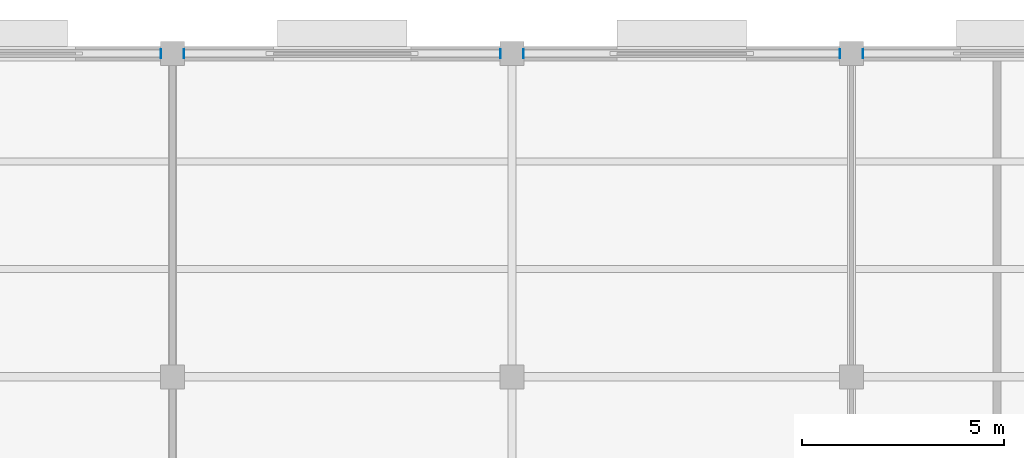
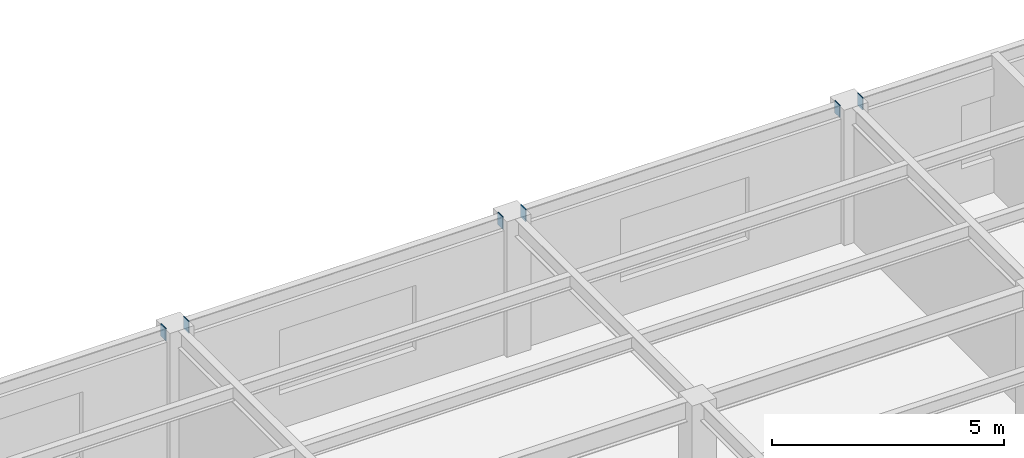
# One storey, part 76 of 96: 6 discrete accessories.
"""IFC4 building model written with IfcOpenShell, lengths in metres."""

from ifc_helpers import new_model, si_unit, direction, frame, origin, origin_2d, place, context, subcontext, project, spatial, rectangle, extrude, material, layer, layer_set, type_object, element, save


model = new_model("IFC4")

# Units and contexts
model_context = context("Model", 3, precision=1e-05, world=origin(), true_north=direction((0.0, 1.0)))
body_context = subcontext(model_context, "Body", "Model", "MODEL_VIEW")
ifc_project = project(units=[si_unit("LENGTHUNIT", "METRE"), si_unit("AREAUNIT", "SQUARE_METRE"), si_unit("VOLUMEUNIT", "CUBIC_METRE"), si_unit("PLANEANGLEUNIT", "RADIAN"), si_unit("MASSUNIT", "GRAM", prefix="KILO")], contexts=[model_context])

# Site, building, storey
site_placement = place(None, origin())
site = spatial("IfcSite", under=ifc_project, at=site_placement, CompositionType="ELEMENT")
building_placement = place(site_placement, origin())
building = spatial("IfcBuilding", under=site, at=building_placement, Name="Kranzveld Transit Interchange", CompositionType="ELEMENT")
storey_placement = place(building_placement, frame((0.0, 0.0, 9.52001953125)))
storey = spatial("IfcBuildingStorey", under=building, at=storey_placement, Name="L02", CompositionType="ELEMENT", Elevation=9.52001953125)

# Discrete accessories
ifc_material = material(Name="Steel S355JR", Category="steel")
ifc_layer = layer(ifc_material, 0.02001953125)
ifc_layer_set = layer_set([ifc_layer], Name="Steel S355JR")
discrete_accessory_type = type_object("IfcDiscreteAccessoryType", Name="Hollow Section End Cap Bracket 20 S355JR", PredefinedType="BRACKET", material=ifc_layer_set)
discrete_accessory_1_placement = place(storey_placement, frame((24.906005859375, 112.0, 3.419921875), z_axis=(1.0, 0.0, 0.0), x_axis=(0.0, 1.0, 0.0)))
element("IfcDiscreteAccessory", 1, at=discrete_accessory_1_placement, inside=storey, type_object=discrete_accessory_type, Name="Hollow Section End Cap SP-RHS300-2", PredefinedType="BRACKET", context=body_context, shape_type="SweptSolid", body=[
    extrude(rectangle(XDim=0.22412109375, YDim=0.323974609375, at=origin_2d()), origin(), (0.0, 0.0, 1.0), 0.02001953125),
])
discrete_accessory_2_placement = place(storey_placement, frame((25.493896484375, 112.0, 3.419921875), z_axis=(-1.0, 0.0, 0.0), x_axis=(0.0, -1.0, 0.0)))
element("IfcDiscreteAccessory", 2, at=discrete_accessory_2_placement, inside=storey, type_object=discrete_accessory_type, Name="Hollow Section End Cap SP-RHS300-1", PredefinedType="BRACKET", context=body_context, shape_type="SweptSolid", body=[
    extrude(rectangle(XDim=0.22412109375, YDim=0.323974609375, at=origin_2d()), origin(), (0.0, 0.0, 1.0), 0.019775390625),
])
for number, where, z_axis, x_axis, name in (
    (3, (33.305908203125, 112.0, 3.419921875), (1.0, 0.0, 0.0), (0.0, 1.0, 0.0), "Hollow Section End Cap SP-RHS300-2"),
    (4, (33.89404296875, 112.0, 3.419921875), (-1.0, 0.0, 0.0), (0.0, -1.0, 0.0), "Hollow Section End Cap SP-RHS300-1"),
    (5, (41.7060546875, 112.0, 3.419921875), (1.0, 0.0, 0.0), (0.0, 1.0, 0.0), "Hollow Section End Cap SP-RHS300-2"),
    (6, (42.2939453125, 112.0, 3.419921875), (-1.0, 0.0, 0.0), (0.0, -1.0, 0.0), "Hollow Section End Cap SP-RHS300-1"),
):
    element("IfcDiscreteAccessory", number, at=place(storey_placement, frame(where, z_axis=z_axis, x_axis=x_axis)), inside=storey, type_object=discrete_accessory_type, Name=name, PredefinedType="BRACKET", context=body_context, shape_type="SweptSolid", body=[
        extrude(rectangle(XDim=0.22412109375, YDim=0.323974609375, at=origin_2d()), origin(), (0.0, 0.0, 1.0), 0.02001953125),
    ])

save(model, "model.ifc")
